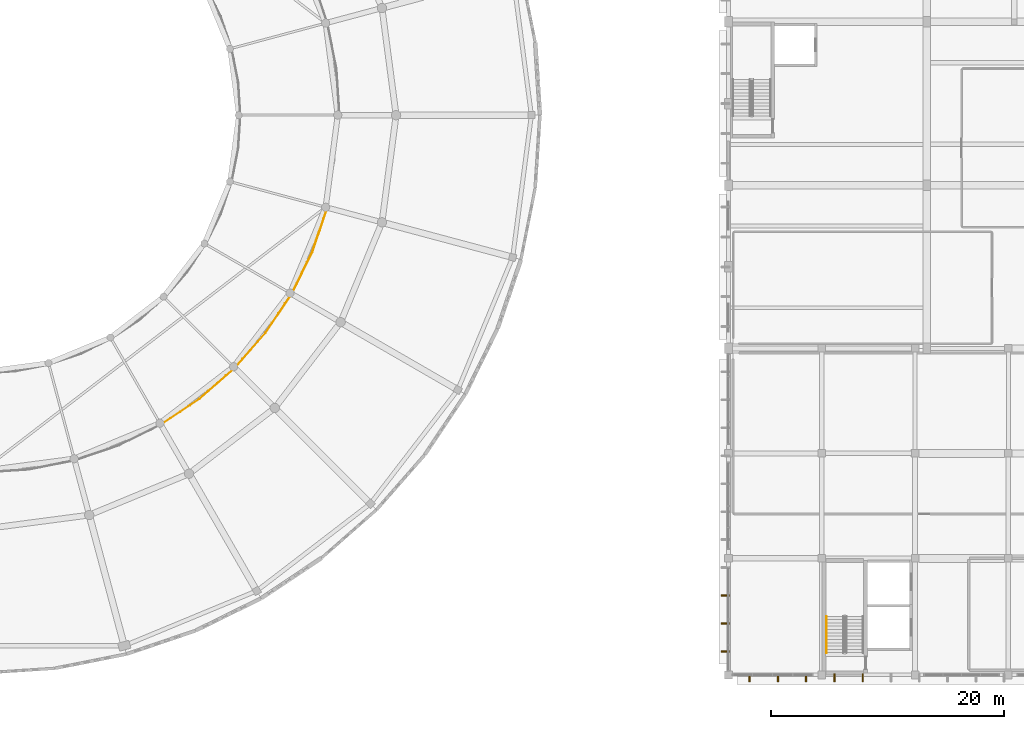
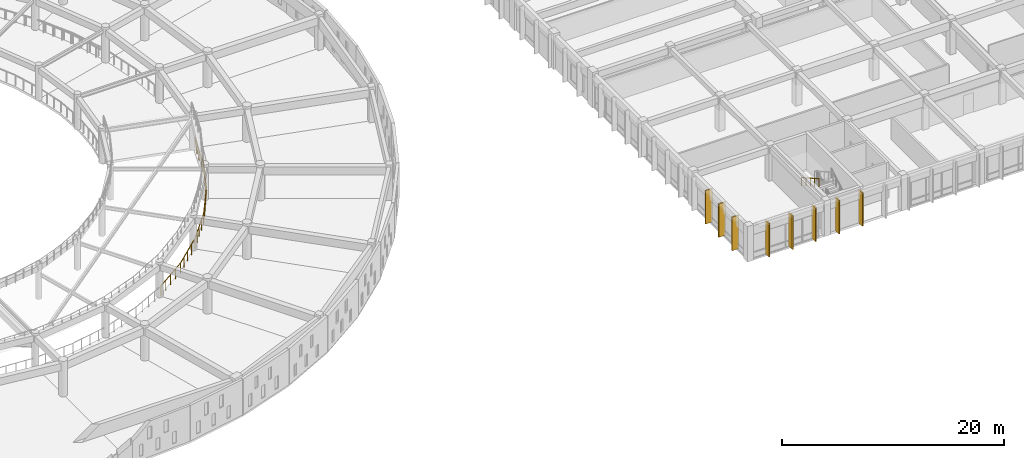
# One storey, part 82 of 98: 8 coverings, 2 railings.
"""IFC4 building model written with IfcOpenShell, lengths in metres."""

from ifc_helpers import new_model, si_unit, direction, frame, origin, origin_2d, place, context, subcontext, project, spatial, rectangle, circle, extrude, material, layer, layer_set, type_object, element, save


model = new_model("IFC4")

# Units and contexts
model_context = context("Model", 3, precision=1e-05, world=origin(), true_north=direction((0.0, 1.0)))
body_context = subcontext(model_context, "Body", "Model", "MODEL_VIEW")
ifc_project = project(units=[si_unit("LENGTHUNIT", "METRE"), si_unit("AREAUNIT", "SQUARE_METRE"), si_unit("VOLUMEUNIT", "CUBIC_METRE"), si_unit("PLANEANGLEUNIT", "RADIAN"), si_unit("MASSUNIT", "GRAM", prefix="KILO")], contexts=[model_context])

# Site, building, storey
site_placement = place(None, origin())
site = spatial("IfcSite", under=ifc_project, at=site_placement, CompositionType="ELEMENT")
building_placement = place(site_placement, origin())
building = spatial("IfcBuilding", under=site, at=building_placement, Name="Larkveld Mobility Hub", CompositionType="ELEMENT")
storey_placement = place(building_placement, frame((0.0, 0.0, 4.5)))
storey = spatial("IfcBuildingStorey", under=building, at=storey_placement, Name="L01", CompositionType="ELEMENT", Elevation=4.5)

# Coverings
ifc_material_1 = material(Name="Precast concrete C50/60", Category="concrete")
ifc_layer = layer(ifc_material_1, 0.1201171875, Name="Precast concrete C50/60", Category="concrete")
ifc_layer_set = layer_set([ifc_layer], Name="Precast concrete C50/60")
covering_type = type_object("IfcCoveringType", Name="COV-QSL-V01", PredefinedType="CLADDING", material=ifc_layer_set)
for number, where, z_axis, x_axis, name in (
    (1, (113.81201171875, -0.239990234375, -0.0205078125), (0.0, 0.0, 1.0), (1.0, 0.0, 0.0), "Precast Quebra-Sol Vertical Fin QSV-207"),
    (2, (116.237060546875, -0.239990234375, -0.0205078125), (0.0, 0.0, 1.0), (1.0, 0.0, 0.0), "Precast Quebra-Sol Vertical Fin QSV-208"),
    (3, (118.662109375, -0.239990234375, -0.0205078125), (0.0, 0.0, 1.0), (1.0, 0.0, 0.0), "Precast Quebra-Sol Vertical Fin QSV-209"),
    (4, (121.0869140625, -0.239990234375, -0.0205078125), (0.0, 0.0, 1.0), (1.0, 0.0, 0.0), "Precast Quebra-Sol Vertical Fin QSV-210"),
    (5, (123.512939453125, -0.239990234375, -0.0205078125), (0.0, 0.0, 1.0), (1.0, 0.0, 0.0), "Precast Quebra-Sol Vertical Fin QSV-211"),
    (6, (111.760009765625, 6.800048828125, -0.0205078125), (0.0, 0.0, 1.0), (0.0, -1.0, 0.0), "Precast Quebra-Sol Vertical Fin QSV-243"),
    (7, (111.760009765625, 4.39990234375, -0.0205078125), (0.0, 0.0, 1.0), (0.0, -1.0, 0.0), "Precast Quebra-Sol Vertical Fin QSV-244"),
    (8, (111.760009765625, 2.0, -0.0205078125), (0.0, 0.0, 1.0), (0.0, -1.0, 0.0), "Precast Quebra-Sol Vertical Fin QSV-245"),
):
    element("IfcCovering", number, at=place(storey_placement, frame(where, z_axis=z_axis, x_axis=x_axis)), inside=storey, type_object=covering_type, Name=name, PredefinedType="CLADDING", context=body_context, shape_type="SweptSolid", body=[
        extrude(rectangle(XDim=0.1201171875, YDim=0.719970703125, at=origin_2d()), origin(), (0.0, 0.0, 1.0), 3.675048828125),
    ])

# Railings
ifc_material_2 = material(Name="Anodized aluminium 6063-T6 balustrade", Category="aluminium")
railing_type_1 = type_object("IfcRailingType", Name="RL-GRD-1150", PredefinedType="GUARDRAIL", material=ifc_material_2)
railing_1_placement = place(storey_placement, frame((63.324951171875, 21.4560546875, 0.0)))
element("IfcRailing", 9, at=railing_1_placement, inside=storey, type_object=railing_type_1, Name="Drum Ramp Well Guardrail L01-041", PredefinedType="GUARDRAIL", context=body_context, shape_type="SweptSolid", body=[
    extrude(circle(Radius=0.02392578125, at=origin_2d()), frame((0.0, 0.0, 1.1259765625), z_axis=(0.831431571078, 0.555627161516, 0.0), x_axis=(-0.555627161516, 0.831431571078, 0.0)), (0.0, 0.0, 1.0), 4.010009765625),
    extrude(circle(Radius=0.02392578125, at=origin_2d()), frame((3.333984375, 2.22802734375, 1.1259765625), z_axis=(0.75190475676, 0.65927174728, 0.0), x_axis=(-0.65927174728, 0.75190475676, 0.0)), (0.0, 0.0, 1.0), 4.0087890625),
    extrude(circle(Radius=0.02392578125, at=origin_2d()), frame((6.34814453125, 4.870849609375, 1.1259765625), z_axis=(0.65927174728, 0.75190475676, 0.0), x_axis=(-0.75190475676, 0.65927174728, 0.0)), (0.0, 0.0, 1.0), 4.0087890625),
    extrude(circle(Radius=0.02392578125, at=origin_2d()), frame((8.990966796875, 7.885009765625, 1.1259765625), z_axis=(0.555627161516, 0.831431571078, 0.0), x_axis=(-0.831431571078, 0.555627161516, 0.0)), (0.0, 0.0, 1.0), 4.010009765625),
    extrude(circle(Radius=0.02392578125, at=origin_2d()), frame((11.218994140625, 11.218994140625, 1.1259765625), z_axis=(0.442213306217, 0.89690991287, 0.0), x_axis=(-0.89690991287, 0.442213306217, 0.0)), (0.0, 0.0, 1.0), 4.00927734375),
    extrude(circle(Radius=0.02392578125, at=origin_2d()), frame((12.991943359375, 14.81494140625, 1.1259765625), z_axis=(0.321557700371, 0.946889985865, 0.0), x_axis=(-0.946889985865, 0.321557700371, 0.0)), (0.0, 0.0, 1.0), 4.0087890625),
    extrude(circle(Radius=0.02099609375, at=origin_2d()), origin(), (0.0, 0.0, 1.0), 1.101806640625),
    extrude(circle(Radius=0.02099609375, at=origin_2d()), frame((0.83349609375, 0.55712890625, 0.0)), (0.0, 0.0, 1.0), 1.101806640625),
    extrude(circle(Radius=0.02099609375, at=origin_2d()), frame((1.6669921875, 1.114013671875, 0.0)), (0.0, 0.0, 1.0), 1.101806640625),
    extrude(circle(Radius=0.02099609375, at=origin_2d()), frame((2.50048828125, 1.6708984375, 0.0)), (0.0, 0.0, 1.0), 1.101806640625),
    extrude(circle(Radius=0.02099609375, at=origin_2d()), frame((3.333984375, 2.22802734375, 0.0)), (0.0, 0.0, 1.0), 1.101806640625),
    extrude(circle(Radius=0.02099609375, at=origin_2d()), frame((4.08740234375, 2.888671875, 0.0)), (0.0, 0.0, 1.0), 1.101806640625),
    extrude(circle(Radius=0.02099609375, at=origin_2d()), frame((4.841064453125, 3.54931640625, 0.0)), (0.0, 0.0, 1.0), 1.101806640625),
    extrude(circle(Radius=0.02099609375, at=origin_2d()), frame((5.5947265625, 4.210205078125, 0.0)), (0.0, 0.0, 1.0), 1.101806640625),
    extrude(circle(Radius=0.02099609375, at=origin_2d()), frame((6.34814453125, 4.870849609375, 0.0)), (0.0, 0.0, 1.0), 1.101806640625),
    extrude(circle(Radius=0.02099609375, at=origin_2d()), frame((7.0087890625, 5.62451171875, 0.0)), (0.0, 0.0, 1.0), 1.101806640625),
    extrude(circle(Radius=0.02099609375, at=origin_2d()), frame((7.66943359375, 6.3779296875, 0.0)), (0.0, 0.0, 1.0), 1.101806640625),
    extrude(circle(Radius=0.02099609375, at=origin_2d()), frame((8.330322265625, 7.13134765625, 0.0)), (0.0, 0.0, 1.0), 1.101806640625),
    extrude(circle(Radius=0.02099609375, at=origin_2d()), frame((8.990966796875, 7.885009765625, 0.0)), (0.0, 0.0, 1.0), 1.101806640625),
    extrude(circle(Radius=0.02099609375, at=origin_2d()), frame((9.5478515625, 8.718505859375, 0.0)), (0.0, 0.0, 1.0), 1.101806640625),
    extrude(circle(Radius=0.02099609375, at=origin_2d()), frame((10.10498046875, 9.552001953125, 0.0)), (0.0, 0.0, 1.0), 1.101806640625),
    extrude(circle(Radius=0.02099609375, at=origin_2d()), frame((10.662109375, 10.385498046875, 0.0)), (0.0, 0.0, 1.0), 1.101806640625),
    extrude(circle(Radius=0.02099609375, at=origin_2d()), frame((11.218994140625, 11.218994140625, 0.0)), (0.0, 0.0, 1.0), 1.101806640625),
    extrude(circle(Radius=0.02099609375, at=origin_2d()), frame((11.662109375, 12.117919921875, 0.0)), (0.0, 0.0, 1.0), 1.101806640625),
    extrude(circle(Radius=0.02099609375, at=origin_2d()), frame((12.10546875, 13.01708984375, 0.0)), (0.0, 0.0, 1.0), 1.101806640625),
    extrude(circle(Radius=0.02099609375, at=origin_2d()), frame((12.548828125, 13.916015625, 0.0)), (0.0, 0.0, 1.0), 1.101806640625),
    extrude(circle(Radius=0.02099609375, at=origin_2d()), frame((12.991943359375, 14.81494140625, 0.0)), (0.0, 0.0, 1.0), 1.101806640625),
    extrude(circle(Radius=0.02099609375, at=origin_2d()), frame((13.314208984375, 15.763916015625, 0.0)), (0.0, 0.0, 1.0), 1.101806640625),
    extrude(circle(Radius=0.02099609375, at=origin_2d()), frame((13.636474609375, 16.712890625, 0.0)), (0.0, 0.0, 1.0), 1.101806640625),
    extrude(circle(Radius=0.02099609375, at=origin_2d()), frame((13.958740234375, 17.661865234375, 0.0)), (0.0, 0.0, 1.0), 1.101806640625),
    extrude(circle(Radius=0.02099609375, at=origin_2d()), frame((14.281005859375, 18.61083984375, 0.0)), (0.0, 0.0, 1.0), 1.101806640625),
])
ifc_material_3 = material(Name="Brushed Steel S355JR tubular handrail", Category="steel")
railing_type_2 = type_object("IfcRailingType", Name="RL-HND-0900", PredefinedType="HANDRAIL", material=ifc_material_3)
railing_2_placement = place(storey_placement, frame((120.39990234375, 5.034912109375, 2.112548828125)))
element("IfcRailing", 10, at=railing_2_placement, inside=storey, type_object=railing_type_2, Name="L01 ST4 stair handrail 2", PredefinedType="HANDRAIL", context=body_context, shape_type="SweptSolid", body=[
    extrude(circle(Radius=0.02392578125, at=origin_2d()), frame((0.0, 0.0, 0.8759765625), z_axis=(0.0, -0.868729823959, 0.495286273749), x_axis=(1.0, 0.0, 0.0)), (0.0, 0.0, 1.0), 3.608642578125),
    extrude(circle(Radius=0.02099609375, at=origin_2d()), origin(), (0.0, 0.0, 1.0), 0.851806640625),
    extrude(circle(Radius=0.02099609375, at=origin_2d()), frame((0.0, -0.78369140625, 0.44677734375)), (0.0, 0.0, 1.0), 0.851806640625),
    extrude(circle(Radius=0.02099609375, at=origin_2d()), frame((0.0, -1.5673828125, 0.8935546875)), (0.0, 0.0, 1.0), 0.851806640625),
    extrude(circle(Radius=0.02099609375, at=origin_2d()), frame((0.0, -2.351318359375, 1.340576171875)), (0.0, 0.0, 1.0), 0.851806640625),
    extrude(circle(Radius=0.02099609375, at=origin_2d()), frame((0.0, -3.135009765625, 1.787353515625)), (0.0, 0.0, 1.0), 0.851806640625),
])

save(model, "model.ifc")
